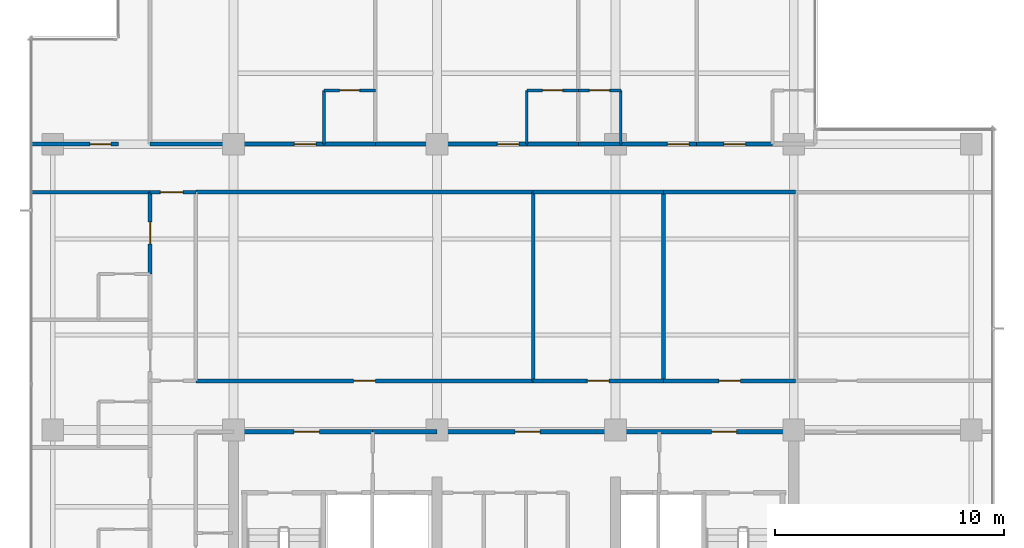
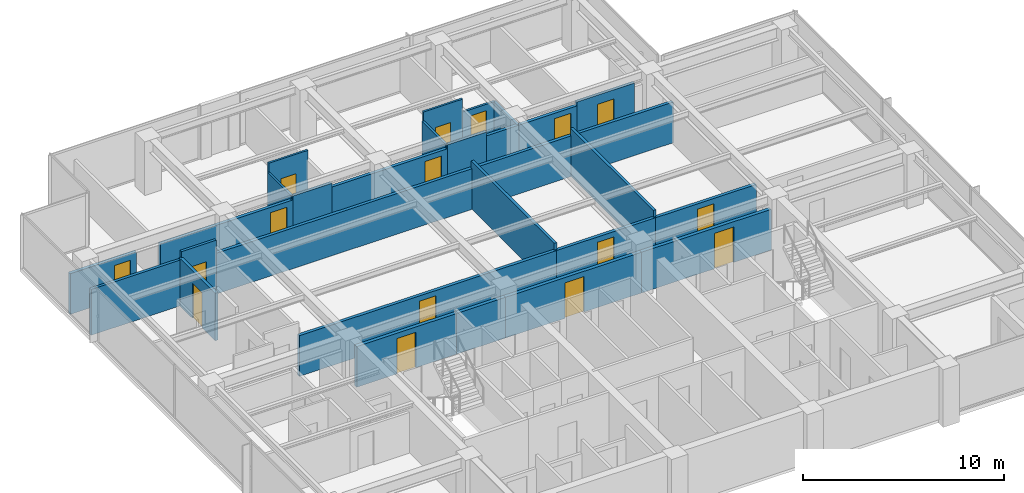
# One storey, part 9 of 14: 29 walls, 16 doors, 16 openings.
"""IFC4 building model written with IfcOpenShell, lengths in metres."""

import ifcopenshell
import ifcopenshell.guid

model = None  # the IFC model being written
_history = None  # IfcOwnerHistory: only IFC2X3 demands one
_inside = {}  # id of a spatial element -> (the spatial element, [elements in it])
_under = {}  # id of a project, library or spatial element -> (it, [spatial elements below it])
_declared = {}  # id of a project -> (the project, [libraries it declares])
_typed = {}  # id of a type object -> (the type object, [elements of that type])
_made_of = {}  # id of a material, layer set ... -> (it, [elements and type objects made of it])


def new_model(schema):
    """Start an empty IFC model of exactly this schema.

    Asked for "IFC4X3", IfcOpenShell would pick the latest addendum, in which some entities
    have other attributes; the version numbers below select the first issue.
    IFC2X3 requires an IfcOwnerHistory on every rooted entity: one is made here for all.
    """
    global model, _history
    if schema == "IFC4X3":
        model = ifcopenshell.file(schema_version=(4, 3, 0, 0))
    else:
        model = ifcopenshell.file(schema=schema)
    _inside.clear()
    _under.clear()
    _declared.clear()
    _typed.clear()
    _made_of.clear()
    _history = None
    if model.schema == "IFC2X3":
        org = make("IfcOrganization", Name="unknown")
        user = make(
            "IfcPersonAndOrganization",
            ThePerson=make("IfcPerson", FamilyName="unknown"),
            TheOrganization=org,
        )
        app = make(
            "IfcApplication",
            ApplicationDeveloper=org,
            Version="unknown",
            ApplicationFullName="unknown",
            ApplicationIdentifier="unknown",
        )
        _history = make(
            "IfcOwnerHistory",
            OwningUser=user,
            OwningApplication=app,
            ChangeAction="ADDED",
            CreationDate=0,
        )
    return model


def make(cls, **values):
    """One entity of the class cls with the attributes given. An attribute that is None is left unset."""
    return model.create_entity(
        cls, **{name: value for name, value in values.items() if value is not None}
    )


def rooted(cls, **values):
    """An entity with a GlobalId (a new one), such as an element, a storey or a relation."""
    return make(cls, GlobalId=ifcopenshell.guid.new(), OwnerHistory=_history, **values)


def si_unit(unit_type, name, prefix=None):
    """IfcSIUnit, for example si_unit("LENGTHUNIT", "METRE", prefix="MILLI")."""
    return make("IfcSIUnit", UnitType=unit_type, Prefix=prefix, Name=name)


def assignment(units):
    """IfcUnitAssignment: the units of a project."""
    return None if units is None else make("IfcUnitAssignment", Units=units)


def point(xyz):
    """IfcCartesianPoint."""
    return None if xyz is None else make("IfcCartesianPoint", Coordinates=xyz)


def direction(xyz):
    """IfcDirection."""
    return None if xyz is None else make("IfcDirection", DirectionRatios=xyz)


def frame(location, z_axis=None, x_axis=None):
    """IfcAxis2Placement3D, a coordinate frame: its origin and axes. An axis left out is left unset."""
    return make(
        "IfcAxis2Placement3D",
        Location=point(location),
        Axis=direction(z_axis),
        RefDirection=direction(x_axis),
    )


def frame_2d(location, x_axis=None):
    """IfcAxis2Placement2D, a coordinate frame in the plane: its origin and x axis."""
    return make(
        "IfcAxis2Placement2D", Location=point(location), RefDirection=direction(x_axis)
    )


def origin():
    """The frame at (0, 0, 0) with its axes left unset."""
    return frame((0.0, 0.0, 0.0))


def place(relative_to, where):
    """IfcLocalPlacement: puts the frame where relative to a parent placement (None: the world)."""
    return make(
        "IfcLocalPlacement", PlacementRelTo=relative_to, RelativePlacement=where
    )


def context(
    kind, dimensions, precision=None, world=None, true_north=None, identifier=None
):
    """IfcGeometricRepresentationContext, for example the 3D "Model" context."""
    return make(
        "IfcGeometricRepresentationContext",
        ContextIdentifier=identifier,
        ContextType=kind,
        CoordinateSpaceDimension=dimensions,
        Precision=precision,
        WorldCoordinateSystem=world,
        TrueNorth=true_north,
    )


def subcontext(parent, identifier, kind, view, scale=None):
    """IfcGeometricRepresentationSubContext, for example "Body" below "Model"."""
    return make(
        "IfcGeometricRepresentationSubContext",
        ContextIdentifier=identifier,
        ContextType=kind,
        ParentContext=parent,
        TargetScale=scale,
        TargetView=view,
    )


def project(units=None, contexts=None):
    """IfcProject with its units and contexts."""
    return rooted(
        "IfcProject",
        Name="project",
        RepresentationContexts=contexts,
        UnitsInContext=assignment(units),
    )


def spatial(cls, under=None, at=None, **own):
    """A site, building, storey or space (cls), placed at a placement, below another one or the project."""
    s = rooted(cls, ObjectPlacement=at, **own)
    if under is not None:
        _under.setdefault(under.id(), (under, []))[1].append(s)
    return s


def profile(cls, at=None, kind="AREA", **sizes):
    """A parametric profile (cls). Its sizes go by their IFC names, for example OverallWidth=200.0."""
    return make(cls, ProfileType=kind, Position=at, **sizes)


def rectangle(**sizes):
    """IfcRectangleProfileDef."""
    return profile("IfcRectangleProfileDef", **sizes)


def extrude(swept, where, along, depth):
    """IfcExtrudedAreaSolid: the profile swept, set in the frame where, extruded along a direction by depth."""
    return make(
        "IfcExtrudedAreaSolid",
        SweptArea=swept,
        Position=where,
        ExtrudedDirection=direction(along),
        Depth=depth,
    )


def shape(context_of_items, identifier, shape_type, items):
    """IfcShapeRepresentation: the items that make up one representation, for example the "Body"."""
    return make(
        "IfcShapeRepresentation",
        ContextOfItems=context_of_items,
        RepresentationIdentifier=identifier,
        RepresentationType=shape_type,
        Items=items,
    )


def material(Name=None, Category=None):
    """IfcMaterial."""
    return make("IfcMaterial", Name=Name, Category=Category)


def layer(
    of_material, thickness, ventilated=None, Name=None, Category=None, Priority=None
):
    """IfcMaterialLayer: one layer of a wall or slab, of a material (None: an air gap)."""
    return make(
        "IfcMaterialLayer",
        Material=of_material,
        LayerThickness=thickness,
        IsVentilated=ventilated,
        Name=Name,
        Category=Category,
        Priority=Priority,
    )


def layer_set(layers, Name=None):
    """IfcMaterialLayerSet."""
    return make("IfcMaterialLayerSet", MaterialLayers=layers, LayerSetName=Name)


def made_of(thing, what):
    """Note that an element or type object is made of a material, layer set ...; save() writes the relation."""
    if what is not None:
        _made_of.setdefault(what.id(), (what, []))[1].append(thing)
    return thing


def type_object(cls, material=None, **own):
    """A type object (cls), such as IfcWallType, which elements share."""
    return made_of(rooted(cls, **own), material)


def element(
    cls,
    number,
    at=None,
    inside=None,
    cuts=None,
    type_object=None,
    material=None,
    context=None,
    identifier="Body",
    shape_type=None,
    held_by="IfcProductDefinitionShape",
    body=None,
    shapes=None,
    **own,
):
    """One element of the class cls, such as IfcWall. Its Tag is "e" and its number.

    at: its placement. inside: the storey or other place that contains it. cuts: it is an
    opening in that element (IfcRelVoidsElement). A single representation is given by context,
    identifier, shape_type and body (its items); several are given by shapes. held_by: the class
    of the entity that holds the representations. save() writes the other relations.
    """
    e = rooted(cls, Tag="e%d" % number, ObjectPlacement=at, **own)
    if body is not None:
        shapes = [shape(context, identifier, shape_type, body)]
    if shapes is not None:
        e.Representation = make(held_by, Representations=shapes)
    if inside is not None:
        _inside.setdefault(inside.id(), (inside, []))[1].append(e)
    if cuts is not None:
        rooted(
            "IfcRelVoidsElement", RelatingBuildingElement=cuts, RelatedOpeningElement=e
        )
    if type_object is not None:
        _typed.setdefault(type_object.id(), (type_object, []))[1].append(e)
    return made_of(e, material)


def fill(opening, filler):
    """IfcRelFillsElement: the door or window that sits in an opening."""
    return rooted(
        "IfcRelFillsElement",
        RelatingOpeningElement=opening,
        RelatedBuildingElement=filler,
    )


def aggregate(whole, parts):
    """IfcRelAggregates: a whole, such as a stair, and the parts it consists of."""
    return rooted("IfcRelAggregates", RelatingObject=whole, RelatedObjects=parts)


def save(model, path):
    """Write the relations noted so far, then the file.

    IfcRelAggregates (storeys below a building ...), IfcRelContainedInSpatialStructure (elements
    in a storey), IfcRelDefinesByType, IfcRelAssociatesMaterial and IfcRelDeclares: one each for
    every whole, place, type object, material and project.
    """
    for whole, parts in _under.values():
        aggregate(whole, parts)
    for where, things in _inside.values():
        rooted(
            "IfcRelContainedInSpatialStructure",
            RelatedElements=things,
            RelatingStructure=where,
        )
    for kind, things in _typed.values():
        rooted("IfcRelDefinesByType", RelatedObjects=things, RelatingType=kind)
    for what, things in _made_of.values():
        rooted("IfcRelAssociatesMaterial", RelatedObjects=things, RelatingMaterial=what)
    for by, libraries in _declared.values():
        rooted("IfcRelDeclares", RelatingContext=by, RelatedDefinitions=libraries)
    model.write(path)


model = new_model("IFC4")

# Units and contexts
model_context = context("Model", 3, precision=1e-05, world=origin(), true_north=direction((0.0, 1.0)))
body_context = subcontext(model_context, "Body", "Model", "MODEL_VIEW")
ifc_project = project(units=[si_unit("LENGTHUNIT", "METRE"), si_unit("AREAUNIT", "SQUARE_METRE"), si_unit("VOLUMEUNIT", "CUBIC_METRE"), si_unit("PLANEANGLEUNIT", "RADIAN"), si_unit("MASSUNIT", "GRAM", prefix="KILO")], contexts=[model_context])

# Site, building, storey
site_placement = place(None, origin())
site = spatial("IfcSite", under=ifc_project, at=site_placement, CompositionType="ELEMENT")
building_placement = place(site_placement, origin())
building = spatial("IfcBuilding", under=site, at=building_placement, Name="Qalmaran Belvedere Hotel", CompositionType="ELEMENT")
storey_placement = place(building_placement, frame((0.0, 0.0, 200.39990234375)))
storey = spatial("IfcBuildingStorey", under=building, at=storey_placement, Name="L50", CompositionType="ELEMENT", Elevation=200.39990234375)

# Wall, opening, door
ifc_material_1 = material(Name="Moisture-Resistant Gypsum")
ifc_layer_1 = layer(ifc_material_1, 0.1201171875, Name="Moisture-Resistant Gypsum")
ifc_layer_set_1 = layer_set([ifc_layer_1], Name="Moisture-Resistant Gypsum")
wall_type_1 = type_object("IfcWallType", Name="WL-INT-120-BATH", PredefinedType="PARTITIONING", material=ifc_layer_set_1)
wall_1_placement = place(storey_placement, frame((24.25, 35.35009765625, 0.0), z_axis=(0.0, 0.0, 1.0), x_axis=(1.0, 0.0, 0.0)))
wall_1 = element("IfcWall", 1, at=wall_1_placement, inside=storey, type_object=wall_type_1, Name="L50 Partition WL-L50-NBN00", PredefinedType="PARTITIONING", context=body_context, shape_type="SweptSolid", body=[
    extrude(rectangle(XDim=2.25, YDim=0.1201171875, at=frame_2d((1.125, 0.0))), origin(), (0.0, 0.0, 1.0), 3.260009765625),
])
opening_1_placement = place(wall_1_placement, frame((1.56494140625, 0.0, 0.0), z_axis=(0.0, 0.0, 1.0), x_axis=(-1.0, 0.0, 0.0)))
opening_1 = element("IfcOpeningElement", 2, at=opening_1_placement, cuts=wall_1, Name="Opening D-BATH", PredefinedType="OPENING", context=body_context, shape_type="SweptSolid", body=[
    extrude(rectangle(XDim=0.8798828125, YDim=2.080078125, at=frame_2d((0.43994140625, 1.0400390625))), frame((0.0, 0.070068359375, 0.0), z_axis=(0.0, -1.0, 0.0), x_axis=(1.0, 0.0, 0.0)), (0.0, 0.0, 1.0), 0.14013671875),
])
ifc_material_2 = material(Name="Engineered Oak Veneer")
door_type_1 = type_object("IfcDoorType", Name="DR-INT-BATH-880X2080", OperationType="NOTDEFINED", PredefinedType="DOOR", material=ifc_material_2)
door_1_placement = place(opening_1_placement, origin())
door_1 = element("IfcDoor", 3, at=door_1_placement, inside=storey, type_object=door_type_1, Name="L50 Ensuite Bathroom Door N01", OperationType="SINGLE_SWING_LEFT", OverallHeight=2.080078125, OverallWidth=0.8798828125, PredefinedType="DOOR", context=body_context, shape_type="SweptSolid", body=[
    extrude(rectangle(XDim=0.8798828125, YDim=2.080078125, at=frame_2d((0.43994140625, 1.0400390625))), frame((0.0, 0.02490234375, 0.0), z_axis=(0.0, -1.0, 0.0), x_axis=(1.0, 0.0, 0.0)), (0.0, 0.0, 1.0), 0.050048828125),
])
fill(opening_1, door_1)

# Wall
wall_2_placement = place(storey_placement, frame((24.25, 33.0, 0.0), z_axis=(0.0, 0.0, 1.0), x_axis=(0.0, 1.0, 0.0)))
element("IfcWall", 4, at=wall_2_placement, inside=storey, type_object=wall_type_1, Name="L50 Partition WL-L50-NBS00", PredefinedType="PARTITIONING", context=body_context, shape_type="SweptSolid", body=[
    extrude(rectangle(XDim=2.35009765625, YDim=0.1201171875, at=frame_2d((1.175048828125, 0.0))), origin(), (0.0, 0.0, 1.0), 2.7060546875),
])

# Wall, opening, door
wall_3_placement = place(storey_placement, frame((33.12353515625, 35.35009765625, 0.0), z_axis=(0.0, 0.0, 1.0), x_axis=(1.0, 0.0, 0.0)))
wall_3 = element("IfcWall", 5, at=wall_3_placement, inside=storey, type_object=wall_type_1, Name="L50 Partition WL-L50-NBN01", PredefinedType="PARTITIONING", context=body_context, shape_type="SweptSolid", body=[
    extrude(rectangle(XDim=2.25, YDim=0.1201171875, at=frame_2d((1.125, 0.0))), origin(), (0.0, 0.0, 1.0), 3.260009765625),
])
opening_2_placement = place(wall_3_placement, frame((1.56494140625, 0.0, 0.0), z_axis=(0.0, 0.0, 1.0), x_axis=(-1.0, 0.0, 0.0)))
opening_2 = element("IfcOpeningElement", 6, at=opening_2_placement, cuts=wall_3, Name="Opening D-BATH", PredefinedType="OPENING", context=body_context, shape_type="SweptSolid", body=[
    extrude(rectangle(XDim=0.8798828125, YDim=2.080078125, at=frame_2d((0.43994140625, 1.0400390625))), frame((0.0, 0.070068359375, 0.0), z_axis=(0.0, -1.0, 0.0), x_axis=(1.0, 0.0, 0.0)), (0.0, 0.0, 1.0), 0.14013671875),
])
door_2_placement = place(opening_2_placement, origin())
door_2 = element("IfcDoor", 7, at=door_2_placement, inside=storey, type_object=door_type_1, Name="L50 Ensuite Bathroom Door N02", OperationType="SINGLE_SWING_LEFT", OverallHeight=2.080078125, OverallWidth=0.8798828125, PredefinedType="DOOR", context=body_context, shape_type="SweptSolid", body=[
    extrude(rectangle(XDim=0.8798828125, YDim=2.080078125, at=frame_2d((0.43994140625, 1.0400390625))), frame((0.0, 0.02490234375, 0.0), z_axis=(0.0, -1.0, 0.0), x_axis=(1.0, 0.0, 0.0)), (0.0, 0.0, 1.0), 0.050048828125),
])
fill(opening_2, door_2)

# Wall
wall_4_placement = place(storey_placement, frame((33.12353515625, 33.0, 0.0), z_axis=(0.0, 0.0, 1.0), x_axis=(0.0, 1.0, 0.0)))
element("IfcWall", 8, at=wall_4_placement, inside=storey, type_object=wall_type_1, Name="L50 Partition WL-L50-NBS01", PredefinedType="PARTITIONING", context=body_context, shape_type="SweptSolid", body=[
    extrude(rectangle(XDim=2.35009765625, YDim=0.1201171875, at=frame_2d((1.175048828125, 0.0))), origin(), (0.0, 0.0, 1.0), 2.7060546875),
])

# Wall, opening, door
wall_5_placement = place(storey_placement, frame((35.37353515625, 35.35009765625, 0.0), z_axis=(0.0, 0.0, 1.0), x_axis=(1.0, 0.0, 0.0)))
wall_5 = element("IfcWall", 9, at=wall_5_placement, inside=storey, type_object=wall_type_1, Name="L50 Partition WL-L50-NBN02", PredefinedType="PARTITIONING", context=body_context, shape_type="SweptSolid", body=[
    extrude(rectangle(XDim=1.860107421875, YDim=0.1201171875, at=frame_2d((0.93017578125, 0.0))), origin(), (0.0, 0.0, 1.0), 2.47216796875),
])
opening_3_placement = place(wall_5_placement, frame((1.369873046875, 0.0, 0.0), z_axis=(0.0, 0.0, 1.0), x_axis=(-1.0, 0.0, 0.0)))
opening_3 = element("IfcOpeningElement", 10, at=opening_3_placement, cuts=wall_5, Name="Opening D-BATH", PredefinedType="OPENING", context=body_context, shape_type="SweptSolid", body=[
    extrude(rectangle(XDim=0.8798828125, YDim=2.080078125, at=frame_2d((0.43994140625, 1.0400390625))), frame((0.0, 0.070068359375, 0.0), z_axis=(0.0, -1.0, 0.0), x_axis=(1.0, 0.0, 0.0)), (0.0, 0.0, 1.0), 0.14013671875),
])
door_3_placement = place(opening_3_placement, origin())
door_3 = element("IfcDoor", 11, at=door_3_placement, inside=storey, type_object=door_type_1, Name="L50 Ensuite Bathroom Door N03", OperationType="SINGLE_SWING_LEFT", OverallHeight=2.080078125, OverallWidth=0.8798828125, PredefinedType="DOOR", context=body_context, shape_type="SweptSolid", body=[
    extrude(rectangle(XDim=0.8798828125, YDim=2.080078125, at=frame_2d((0.43994140625, 1.0400390625))), frame((0.0, 0.02490234375, 0.0), z_axis=(0.0, -1.0, 0.0), x_axis=(1.0, 0.0, 0.0)), (0.0, 0.0, 1.0), 0.050048828125),
])
fill(opening_3, door_3)

# Wall
wall_6_placement = place(storey_placement, frame((37.233642578125, 33.0, 0.0), z_axis=(0.0, 0.0, 1.0), x_axis=(0.0, 1.0, 0.0)))
element("IfcWall", 12, at=wall_6_placement, inside=storey, type_object=wall_type_1, Name="L50 Partition WL-L50-NBS02", PredefinedType="PARTITIONING", context=body_context, shape_type="SweptSolid", body=[
    extrude(rectangle(XDim=2.35009765625, YDim=0.1201171875, at=frame_2d((1.175048828125, 0.0))), origin(), (0.0, 0.0, 1.0), 2.47216796875),
])

# Wall, opening, door
ifc_material_3 = material(Name="Gypsum Stud Partition")
ifc_layer_2 = layer(ifc_material_3, 0.14990234375, Name="Gypsum Stud Partition")
ifc_layer_set_2 = layer_set([ifc_layer_2], Name="Gypsum Stud Partition")
wall_type_2 = type_object("IfcWallType", Name="WL-INT-150-EI60", PredefinedType="PARTITIONING", material=ifc_layer_set_2)
wall_7_placement = place(storey_placement, frame((16.64990234375, 30.89990234375, 0.0), z_axis=(0.0, 0.0, 1.0), x_axis=(1.0, 0.0, 0.0)))
wall_7 = element("IfcWall", 13, at=wall_7_placement, inside=storey, type_object=wall_type_2, Name="L50 Partition WL-L50-XCW2", PredefinedType="PARTITIONING", context=body_context, shape_type="SweptSolid", body=[
    extrude(rectangle(XDim=2.0, YDim=0.14990234375, at=frame_2d((1.0, 0.0))), origin(), (0.0, 0.0, 1.0), 3.260009765625),
])
opening_4_placement = place(wall_7_placement, frame((0.449951171875, 0.0, 0.0)))
opening_4 = element("IfcOpeningElement", 14, at=opening_4_placement, cuts=wall_7, Name="Opening FD90B", PredefinedType="OPENING", context=body_context, shape_type="SweptSolid", body=[
    extrude(rectangle(XDim=1.0, YDim=2.14990234375, at=frame_2d((0.5, 1.074951171875))), frame((0.0, 0.0849609375, 0.0), z_axis=(0.0, -1.0, 0.0), x_axis=(1.0, 0.0, 0.0)), (0.0, 0.0, 1.0), 0.169921875),
])
ifc_material_4 = material(Name="Steel S355JR", Category="steel")
door_type_2 = type_object("IfcDoorType", Name="DR-FD90B-1000X2150", OperationType="NOTDEFINED", PredefinedType="DOOR", material=ifc_material_4)
door_4_placement = place(opening_4_placement, origin())
door_4 = element("IfcDoor", 15, at=door_4_placement, inside=storey, type_object=door_type_2, Name="L50 West Corridor Smoke Door N", OperationType="SINGLE_SWING_LEFT", OverallHeight=2.14990234375, OverallWidth=1.0, PredefinedType="DOOR", context=body_context, shape_type="SweptSolid", body=[
    extrude(rectangle(XDim=1.0, YDim=2.14990234375, at=frame_2d((0.5, 1.074951171875))), frame((0.0, 0.02490234375, 0.0), z_axis=(0.0, -1.0, 0.0), x_axis=(1.0, 0.0, 0.0)), (0.0, 0.0, 1.0), 0.050048828125),
])
fill(opening_4, door_4)

# Walls
ifc_layer_3 = layer(ifc_material_3, 0.159912109375, Name="Gypsum Stud Partition")
ifc_layer_set_3 = layer_set([ifc_layer_3], Name="Gypsum Stud Partition")
wall_type_3 = type_object("IfcWallType", Name="WL-INT-160-EI60", PredefinedType="PARTITIONING", material=ifc_layer_set_3)
for number, where, z_axis, x_axis, name in (
    (16, (33.39990234375, 22.64990234375, 0.0), (0.0, 0.0, 1.0), (0.0, 1.0, 0.0), "L50 Partition WL-L50-MIDVR1"),
    (17, (39.10009765625, 22.64990234375, 0.0), (0.0, 0.0, 1.0), (0.0, 1.0, 0.0), "L50 Partition WL-L50-MIDVR2"),
):
    element("IfcWall", number, at=place(storey_placement, frame(where, z_axis=z_axis, x_axis=x_axis)), inside=storey, type_object=wall_type_3, Name=name, PredefinedType="PARTITIONING", context=body_context, shape_type="SweptSolid", body=[
        extrude(rectangle(XDim=8.25, YDim=0.159912109375, at=frame_2d((4.125, 0.0))), origin(), (0.0, 0.0, 1.0), 2.88720703125),
    ])
wall_8_placement = place(storey_placement, frame((11.469970703125, 30.89990234375, 0.0), z_axis=(0.0, 0.0, 1.0), x_axis=(1.0, 0.0, 0.0)))
element("IfcWall", 18, at=wall_8_placement, inside=storey, type_object=wall_type_3, Name="L50 Partition WL-L50-WU02", PredefinedType="PARTITIONING", context=body_context, shape_type="SweptSolid", body=[
    extrude(rectangle(XDim=5.179931640625, YDim=0.159912109375, at=frame_2d((2.58984375, 0.0))), origin(), (0.0, 0.0, 1.0), 2.781982421875),
])

# Wall, opening, door
ifc_layer_4 = layer(ifc_material_3, 0.179931640625, Name="Gypsum Stud Partition")
ifc_layer_set_4 = layer_set([ifc_layer_4], Name="Gypsum Stud Partition")
wall_type_4 = type_object("IfcWallType", Name="WL-INT-180-EI60", PredefinedType="PARTITIONING", material=ifc_layer_set_4)
wall_9_placement = place(storey_placement, frame((18.64990234375, 22.64990234375, 0.0), z_axis=(0.0, 0.0, 1.0), x_axis=(1.0, 0.0, 0.0)))
wall_9 = element("IfcWall", 19, at=wall_9_placement, inside=storey, type_object=wall_type_4, Name="L50 Partition WL-L50-MIDD1", PredefinedType="PARTITIONING", context=body_context, shape_type="SweptSolid", body=[
    extrude(rectangle(XDim=14.75, YDim=0.179931640625, at=frame_2d((7.375, 0.0))), origin(), (0.0, 0.0, 1.0), 2.47216796875),
])
opening_5_placement = place(wall_9_placement, frame((6.89990234375, 0.0, 0.0)))
opening_5 = element("IfcOpeningElement", 20, at=opening_5_placement, cuts=wall_9, Name="Opening FD60", PredefinedType="OPENING", context=body_context, shape_type="SweptSolid", body=[
    extrude(rectangle(XDim=0.949951171875, YDim=2.14990234375, at=frame_2d((0.47509765625, 1.074951171875))), frame((0.0, 0.10009765625, 0.0), z_axis=(0.0, -1.0, 0.0), x_axis=(1.0, 0.0, 0.0)), (0.0, 0.0, 1.0), 0.199951171875),
])
door_type_3 = type_object("IfcDoorType", Name="DR-FD60-950X2150", OperationType="NOTDEFINED", PredefinedType="DOOR", material=ifc_material_2)
door_5_placement = place(opening_5_placement, origin())
door_5 = element("IfcDoor", 21, at=door_5_placement, inside=storey, type_object=door_type_3, Name="L50 Housekeeping and Linen Room Door", OperationType="SINGLE_SWING_RIGHT", OverallHeight=2.14990234375, OverallWidth=0.949951171875, PredefinedType="DOOR", context=body_context, shape_type="SweptSolid", body=[
    extrude(rectangle(XDim=0.949951171875, YDim=2.14990234375, at=frame_2d((0.47509765625, 1.074951171875))), frame((0.0, 0.02490234375, 0.0), z_axis=(0.0, -1.0, 0.0), x_axis=(1.0, 0.0, 0.0)), (0.0, 0.0, 1.0), 0.050048828125),
])
fill(opening_5, door_5)

# Wall
wall_10_placement = place(storey_placement, frame((18.64990234375, 30.89990234375, 0.0), z_axis=(0.0, 0.0, 1.0), x_axis=(1.0, 0.0, 0.0)))
element("IfcWall", 22, at=wall_10_placement, inside=storey, type_object=wall_type_4, Name="L50 Partition WL-L50-MIDO1", PredefinedType="PARTITIONING", context=body_context, shape_type="SweptSolid", body=[
    extrude(rectangle(XDim=14.75, YDim=0.179931640625, at=frame_2d((7.375, 0.0))), origin(), (0.0, 0.0, 1.0), 2.47216796875),
])

# Wall, opening, door
wall_11_placement = place(storey_placement, frame((33.39990234375, 22.64990234375, 0.0), z_axis=(0.0, 0.0, 1.0), x_axis=(1.0, 0.0, 0.0)))
wall_11 = element("IfcWall", 23, at=wall_11_placement, inside=storey, type_object=wall_type_4, Name="L50 Partition WL-L50-MIDD2", PredefinedType="PARTITIONING", context=body_context, shape_type="SweptSolid", body=[
    extrude(rectangle(XDim=5.7001953125, YDim=0.179931640625, at=frame_2d((2.85009765625, 0.0))), origin(), (0.0, 0.0, 1.0), 2.47216796875),
])
opening_6_placement = place(wall_11_placement, frame((2.375, 0.0, 0.0)))
opening_6 = element("IfcOpeningElement", 24, at=opening_6_placement, cuts=wall_11, Name="Opening FD60", PredefinedType="OPENING", context=body_context, shape_type="SweptSolid", body=[
    extrude(rectangle(XDim=0.949951171875, YDim=2.14990234375, at=frame_2d((0.47509765625, 1.074951171875))), frame((0.0, 0.10009765625, 0.0), z_axis=(0.0, -1.0, 0.0), x_axis=(1.0, 0.0, 0.0)), (0.0, 0.0, 1.0), 0.199951171875),
])
door_6_placement = place(opening_6_placement, origin())
door_6 = element("IfcDoor", 25, at=door_6_placement, inside=storey, type_object=door_type_3, Name="L50 Butler Pantry Door", OperationType="SINGLE_SWING_LEFT", OverallHeight=2.14990234375, OverallWidth=0.949951171875, PredefinedType="DOOR", context=body_context, shape_type="SweptSolid", body=[
    extrude(rectangle(XDim=0.949951171875, YDim=2.14990234375, at=frame_2d((0.47509765625, 1.074951171875))), frame((0.0, 0.02490234375, 0.0), z_axis=(0.0, -1.0, 0.0), x_axis=(1.0, 0.0, 0.0)), (0.0, 0.0, 1.0), 0.050048828125),
])
fill(opening_6, door_6)

# Wall
wall_12_placement = place(storey_placement, frame((33.39990234375, 30.89990234375, 0.0), z_axis=(0.0, 0.0, 1.0), x_axis=(1.0, 0.0, 0.0)))
element("IfcWall", 26, at=wall_12_placement, inside=storey, type_object=wall_type_4, Name="L50 Partition WL-L50-MIDO2", PredefinedType="PARTITIONING", context=body_context, shape_type="SweptSolid", body=[
    extrude(rectangle(XDim=5.7001953125, YDim=0.179931640625, at=frame_2d((2.85009765625, 0.0))), origin(), (0.0, 0.0, 1.0), 2.47216796875),
])

# Wall, opening, door
wall_13_placement = place(storey_placement, frame((39.10009765625, 22.64990234375, 0.0), z_axis=(0.0, 0.0, 1.0), x_axis=(1.0, 0.0, 0.0)))
wall_13 = element("IfcWall", 27, at=wall_13_placement, inside=storey, type_object=wall_type_4, Name="L50 Partition WL-L50-MIDD3", PredefinedType="PARTITIONING", context=body_context, shape_type="SweptSolid", body=[
    extrude(rectangle(XDim=5.77978515625, YDim=0.179931640625, at=frame_2d((2.889892578125, 0.0))), origin(), (0.0, 0.0, 1.0), 2.47216796875),
])
opening_7_placement = place(wall_13_placement, frame((2.4150390625, 0.0, 0.0)))
opening_7 = element("IfcOpeningElement", 28, at=opening_7_placement, cuts=wall_13, Name="Opening FD60", PredefinedType="OPENING", context=body_context, shape_type="SweptSolid", body=[
    extrude(rectangle(XDim=0.949951171875, YDim=2.14990234375, at=frame_2d((0.47509765625, 1.074951171875))), frame((0.0, 0.10009765625, 0.0), z_axis=(0.0, -1.0, 0.0), x_axis=(1.0, 0.0, 0.0)), (0.0, 0.0, 1.0), 0.199951171875),
])
door_7_placement = place(opening_7_placement, origin())
door_7 = element("IfcDoor", 29, at=door_7_placement, inside=storey, type_object=door_type_3, Name="L50 Tea Pantry Door", OperationType="SINGLE_SWING_RIGHT", OverallHeight=2.14990234375, OverallWidth=0.949951171875, PredefinedType="DOOR", context=body_context, shape_type="SweptSolid", body=[
    extrude(rectangle(XDim=0.949951171875, YDim=2.14990234375, at=frame_2d((0.47509765625, 1.074951171875))), frame((0.0, 0.02490234375, 0.0), z_axis=(0.0, -1.0, 0.0), x_axis=(1.0, 0.0, 0.0)), (0.0, 0.0, 1.0), 0.050048828125),
])
fill(opening_7, door_7)

# Walls
wall_14_placement = place(storey_placement, frame((39.10009765625, 30.89990234375, 0.0), z_axis=(0.0, 0.0, 1.0), x_axis=(1.0, 0.0, 0.0)))
element("IfcWall", 30, at=wall_14_placement, inside=storey, type_object=wall_type_4, Name="L50 Partition WL-L50-MIDO3", PredefinedType="PARTITIONING", context=body_context, shape_type="SweptSolid", body=[
    extrude(rectangle(XDim=5.77978515625, YDim=0.179931640625, at=frame_2d((2.889892578125, 0.0))), origin(), (0.0, 0.0, 1.0), 2.47216796875),
])
wall_15_placement = place(storey_placement, frame((24.25, 33.0, 0.0), z_axis=(0.0, 0.0, 1.0), x_axis=(1.0, 0.0, 0.0)))
element("IfcWall", 31, at=wall_15_placement, inside=storey, type_object=wall_type_4, Name="L50 Partition WL-L50-NBC00", PredefinedType="PARTITIONING", context=body_context, shape_type="SweptSolid", body=[
    extrude(rectangle(XDim=2.25, YDim=0.179931640625, at=frame_2d((1.125, 0.0))), origin(), (0.0, 0.0, 1.0), 2.7060546875),
])

# Wall, opening, door
wall_16_placement = place(storey_placement, frame((16.64990234375, 33.0, 0.0), z_axis=(0.0, 0.0, 1.0), x_axis=(1.0, 0.0, 0.0)))
wall_16 = element("IfcWall", 32, at=wall_16_placement, inside=storey, type_object=wall_type_4, Name="L50 Partition WL-L50-NEC00", PredefinedType="PARTITIONING", context=body_context, shape_type="SweptSolid", body=[
    extrude(rectangle(XDim=7.60009765625, YDim=0.179931640625, at=frame_2d((3.800048828125, 0.0))), origin(), (0.0, 0.0, 1.0), 2.47216796875),
])
opening_8_placement = place(wall_16_placement, frame((6.310546875, 0.0, 0.0)))
opening_8 = element("IfcOpeningElement", 33, at=opening_8_placement, cuts=wall_16, Name="Opening FD60", PredefinedType="OPENING", context=body_context, shape_type="SweptSolid", body=[
    extrude(rectangle(XDim=0.949951171875, YDim=2.14990234375, at=frame_2d((0.47509765625, 1.074951171875))), frame((0.0, 0.10009765625, 0.0), z_axis=(0.0, -1.0, 0.0), x_axis=(1.0, 0.0, 0.0)), (0.0, 0.0, 1.0), 0.199951171875),
])
door_8_placement = place(opening_8_placement, origin())
door_8 = element("IfcDoor", 34, at=door_8_placement, inside=storey, type_object=door_type_3, Name="L50 Guest Entrance Door N01", OperationType="SINGLE_SWING_RIGHT", OverallHeight=2.14990234375, OverallWidth=0.949951171875, PredefinedType="DOOR", context=body_context, shape_type="SweptSolid", body=[
    extrude(rectangle(XDim=0.949951171875, YDim=2.14990234375, at=frame_2d((0.47509765625, 1.074951171875))), frame((0.0, 0.02490234375, 0.0), z_axis=(0.0, -1.0, 0.0), x_axis=(1.0, 0.0, 0.0)), (0.0, 0.0, 1.0), 0.050048828125),
])
fill(opening_8, door_8)

# Wall
wall_17_placement = place(storey_placement, frame((33.12353515625, 33.0, 0.0), z_axis=(0.0, 0.0, 1.0), x_axis=(1.0, 0.0, 0.0)))
element("IfcWall", 35, at=wall_17_placement, inside=storey, type_object=wall_type_4, Name="L50 Partition WL-L50-NBC01", PredefinedType="PARTITIONING", context=body_context, shape_type="SweptSolid", body=[
    extrude(rectangle(XDim=2.25, YDim=0.179931640625, at=frame_2d((1.125, 0.0))), origin(), (0.0, 0.0, 1.0), 2.7060546875),
])

# Wall, opening, door
wall_18_placement = place(storey_placement, frame((26.5, 33.0, 0.0), z_axis=(0.0, 0.0, 1.0), x_axis=(1.0, 0.0, 0.0)))
wall_18 = element("IfcWall", 36, at=wall_18_placement, inside=storey, type_object=wall_type_4, Name="L50 Partition WL-L50-NEC01", PredefinedType="PARTITIONING", context=body_context, shape_type="SweptSolid", body=[
    extrude(rectangle(XDim=6.62353515625, YDim=0.179931640625, at=frame_2d((3.311767578125, 0.0))), origin(), (0.0, 0.0, 1.0), 2.47216796875),
])
opening_9_placement = place(wall_18_placement, frame((5.334716796875, 0.0, 0.0)))
opening_9 = element("IfcOpeningElement", 37, at=opening_9_placement, cuts=wall_18, Name="Opening FD60", PredefinedType="OPENING", context=body_context, shape_type="SweptSolid", body=[
    extrude(rectangle(XDim=0.949951171875, YDim=2.14990234375, at=frame_2d((0.47509765625, 1.074951171875))), frame((0.0, 0.10009765625, 0.0), z_axis=(0.0, -1.0, 0.0), x_axis=(1.0, 0.0, 0.0)), (0.0, 0.0, 1.0), 0.199951171875),
])
door_9_placement = place(opening_9_placement, origin())
door_9 = element("IfcDoor", 38, at=door_9_placement, inside=storey, type_object=door_type_3, Name="L50 Guest Entrance Door N02", OperationType="SINGLE_SWING_RIGHT", OverallHeight=2.14990234375, OverallWidth=0.949951171875, PredefinedType="DOOR", context=body_context, shape_type="SweptSolid", body=[
    extrude(rectangle(XDim=0.949951171875, YDim=2.14990234375, at=frame_2d((0.47509765625, 1.074951171875))), frame((0.0, 0.02490234375, 0.0), z_axis=(0.0, -1.0, 0.0), x_axis=(1.0, 0.0, 0.0)), (0.0, 0.0, 1.0), 0.050048828125),
])
fill(opening_9, door_9)

# Wall
wall_19_placement = place(storey_placement, frame((35.37353515625, 33.0, 0.0), z_axis=(0.0, 0.0, 1.0), x_axis=(1.0, 0.0, 0.0)))
element("IfcWall", 39, at=wall_19_placement, inside=storey, type_object=wall_type_4, Name="L50 Partition WL-L50-NBC02", PredefinedType="PARTITIONING", context=body_context, shape_type="SweptSolid", body=[
    extrude(rectangle(XDim=1.860107421875, YDim=0.179931640625, at=frame_2d((0.93017578125, 0.0))), origin(), (0.0, 0.0, 1.0), 2.47216796875),
])

# Wall, opening, door
wall_20_placement = place(storey_placement, frame((37.233642578125, 33.0, 0.0), z_axis=(0.0, 0.0, 1.0), x_axis=(1.0, 0.0, 0.0)))
wall_20 = element("IfcWall", 40, at=wall_20_placement, inside=storey, type_object=wall_type_4, Name="L50 Partition WL-L50-NEC02", PredefinedType="PARTITIONING", context=body_context, shape_type="SweptSolid", body=[
    extrude(rectangle(XDim=3.318115234375, YDim=0.179931640625, at=frame_2d((1.6591796875, 0.0))), origin(), (0.0, 0.0, 1.0), 2.47216796875),
])
opening_10_placement = place(wall_20_placement, frame((2.034912109375, 0.0, 0.0)))
opening_10 = element("IfcOpeningElement", 41, at=opening_10_placement, cuts=wall_20, Name="Opening FD60", PredefinedType="OPENING", context=body_context, shape_type="SweptSolid", body=[
    extrude(rectangle(XDim=0.949951171875, YDim=2.14990234375, at=frame_2d((0.47509765625, 1.074951171875))), frame((0.0, 0.10009765625, 0.0), z_axis=(0.0, -1.0, 0.0), x_axis=(1.0, 0.0, 0.0)), (0.0, 0.0, 1.0), 0.199951171875),
])
door_10_placement = place(opening_10_placement, origin())
door_10 = element("IfcDoor", 42, at=door_10_placement, inside=storey, type_object=door_type_3, Name="L50 Guest Entrance Door N03", OperationType="SINGLE_SWING_RIGHT", OverallHeight=2.14990234375, OverallWidth=0.949951171875, PredefinedType="DOOR", context=body_context, shape_type="SweptSolid", body=[
    extrude(rectangle(XDim=0.949951171875, YDim=2.14990234375, at=frame_2d((0.47509765625, 1.074951171875))), frame((0.0, 0.02490234375, 0.0), z_axis=(0.0, -1.0, 0.0), x_axis=(1.0, 0.0, 0.0)), (0.0, 0.0, 1.0), 0.050048828125),
])
fill(opening_10, door_10)

wall_21_placement = place(storey_placement, frame((40.5517578125, 33.0, 0.0), z_axis=(0.0, 0.0, 1.0), x_axis=(1.0, 0.0, 0.0)))
wall_21 = element("IfcWall", 43, at=wall_21_placement, inside=storey, type_object=wall_type_4, Name="L50 Partition WL-L50-NEC03", PredefinedType="PARTITIONING", context=body_context, shape_type="SweptSolid", body=[
    extrude(rectangle(XDim=3.318359375, YDim=0.179931640625, at=frame_2d((1.6591796875, 0.0))), origin(), (0.0, 0.0, 1.0), 2.7060546875),
])
opening_11_placement = place(wall_21_placement, frame((1.18408203125, 0.0, 0.0)))
opening_11 = element("IfcOpeningElement", 44, at=opening_11_placement, cuts=wall_21, Name="Opening FD60", PredefinedType="OPENING", context=body_context, shape_type="SweptSolid", body=[
    extrude(rectangle(XDim=0.949951171875, YDim=2.14990234375, at=frame_2d((0.47509765625, 1.074951171875))), frame((0.0, 0.10009765625, 0.0), z_axis=(0.0, -1.0, 0.0), x_axis=(1.0, 0.0, 0.0)), (0.0, 0.0, 1.0), 0.199951171875),
])
door_11_placement = place(opening_11_placement, origin())
door_11 = element("IfcDoor", 45, at=door_11_placement, inside=storey, type_object=door_type_3, Name="L50 Guest Entrance Door N04", OperationType="SINGLE_SWING_RIGHT", OverallHeight=2.14990234375, OverallWidth=0.949951171875, PredefinedType="DOOR", context=body_context, shape_type="SweptSolid", body=[
    extrude(rectangle(XDim=0.949951171875, YDim=2.14990234375, at=frame_2d((0.47509765625, 1.074951171875))), frame((0.0, 0.02490234375, 0.0), z_axis=(0.0, -1.0, 0.0), x_axis=(1.0, 0.0, 0.0)), (0.0, 0.0, 1.0), 0.050048828125),
])
fill(opening_11, door_11)

wall_22_placement = place(storey_placement, frame((16.64990234375, 27.32666015625, 0.0), z_axis=(0.0, 0.0, 1.0), x_axis=(0.0, 1.0, 0.0)))
wall_22 = element("IfcWall", 46, at=wall_22_placement, inside=storey, type_object=wall_type_4, Name="L50 Partition WL-L50-WEC02", PredefinedType="PARTITIONING", context=body_context, shape_type="SweptSolid", body=[
    extrude(rectangle(XDim=3.5732421875, YDim=0.179931640625, at=frame_2d((1.78662109375, 0.0))), origin(), (0.0, 0.0, 1.0), 2.88720703125),
])
opening_12_placement = place(wall_22_placement, frame((1.3115234375, 0.0, 0.0)))
opening_12 = element("IfcOpeningElement", 47, at=opening_12_placement, cuts=wall_22, Name="Opening FD60", PredefinedType="OPENING", context=body_context, shape_type="SweptSolid", body=[
    extrude(rectangle(XDim=0.949951171875, YDim=2.14990234375, at=frame_2d((0.47509765625, 1.074951171875))), frame((0.0, 0.10009765625, 0.0), z_axis=(0.0, -1.0, 0.0), x_axis=(1.0, 0.0, 0.0)), (0.0, 0.0, 1.0), 0.199951171875),
])
door_12_placement = place(opening_12_placement, origin())
door_12 = element("IfcDoor", 48, at=door_12_placement, inside=storey, type_object=door_type_3, Name="L50 W Wing Door 03", OperationType="SINGLE_SWING_RIGHT", OverallHeight=2.14990234375, OverallWidth=0.949951171875, PredefinedType="DOOR", context=body_context, shape_type="SweptSolid", body=[
    extrude(rectangle(XDim=0.949951171875, YDim=2.14990234375, at=frame_2d((0.47509765625, 1.074951171875))), frame((0.0, 0.02490234375, 0.0), z_axis=(0.0, -1.0, 0.0), x_axis=(1.0, 0.0, 0.0)), (0.0, 0.0, 1.0), 0.050048828125),
])
fill(opening_12, door_12)

wall_23_placement = place(storey_placement, frame((11.469970703125, 33.0, 0.0), z_axis=(0.0, 0.0, 1.0), x_axis=(1.0, 0.0, 0.0)))
wall_23 = element("IfcWall", 49, at=wall_23_placement, inside=storey, type_object=wall_type_4, Name="L50 Partition WL-L50-NWSD", PredefinedType="PARTITIONING", context=body_context, shape_type="SweptSolid", body=[
    extrude(rectangle(XDim=3.800048828125, YDim=0.179931640625, at=frame_2d((1.89990234375, 0.0))), origin(), (0.0, 0.0, 1.0), 2.47216796875),
])
opening_13_placement = place(wall_23_placement, frame((2.543701171875, 0.0, 0.0)))
opening_13 = element("IfcOpeningElement", 50, at=opening_13_placement, cuts=wall_23, Name="Opening FD60S1", PredefinedType="OPENING", context=body_context, shape_type="SweptSolid", body=[
    extrude(rectangle(XDim=0.919921875, YDim=2.080078125, at=frame_2d((0.4599609375, 1.0400390625))), frame((0.0, 0.10009765625, 0.0), z_axis=(0.0, -1.0, 0.0), x_axis=(1.0, 0.0, 0.0)), (0.0, 0.0, 1.0), 0.199951171875),
])
door_type_4 = type_object("IfcDoorType", Name="DR-FD60S-920X2080", OperationType="NOTDEFINED", PredefinedType="DOOR", material=ifc_material_2)
door_13_placement = place(opening_13_placement, origin())
door_13 = element("IfcDoor", 51, at=door_13_placement, inside=storey, type_object=door_type_4, Name="L50 NW Belvedere Study Door", OperationType="SINGLE_SWING_LEFT", OverallHeight=2.080078125, OverallWidth=0.919921875, PredefinedType="DOOR", context=body_context, shape_type="SweptSolid", body=[
    extrude(rectangle(XDim=0.919921875, YDim=2.080078125, at=frame_2d((0.4599609375, 1.0400390625))), frame((0.0, 0.02490234375, 0.0), z_axis=(0.0, -1.0, 0.0), x_axis=(1.0, 0.0, 0.0)), (0.0, 0.0, 1.0), 0.050048828125),
])
fill(opening_13, door_13)

ifc_material_5 = material(Name="Concrete C30/37 Blockwork", Category="masonry")
ifc_layer_5 = layer(ifc_material_5, 0.199951171875, Name="Concrete C30/37 Blockwork")
ifc_layer_set_5 = layer_set([ifc_layer_5], Name="Concrete C30/37 Blockwork")
wall_type_5 = type_object("IfcWallType", Name="WL-INT-200-EI120", PredefinedType="PARTITIONING", material=ifc_layer_set_5)
wall_24_placement = place(storey_placement, frame((20.64990234375, 20.419921875, 0.0), z_axis=(0.0, 0.0, 1.0), x_axis=(1.0, 0.0, 0.0)))
wall_24 = element("IfcWall", 52, at=wall_24_placement, inside=storey, type_object=wall_type_5, Name="L50 Partition WL-CN1A-L50", PredefinedType="PARTITIONING", context=body_context, shape_type="SweptSolid", body=[
    extrude(rectangle(XDim=5.72998046875, YDim=0.199951171875, at=frame_2d((2.864990234375, 0.0))), origin(), (0.0, 0.0, 1.0), 2.47216796875),
])
opening_14_placement = place(wall_24_placement, frame((2.300048828125, 0.0, 0.0)))
opening_14 = element("IfcOpeningElement", 53, at=opening_14_placement, cuts=wall_24, Name="Opening FD90", PredefinedType="OPENING", context=body_context, shape_type="SweptSolid", body=[
    extrude(rectangle(XDim=1.10009765625, YDim=2.14990234375, at=frame_2d((0.550048828125, 1.074951171875))), frame((0.0, 0.10986328125, 0.0), z_axis=(0.0, -1.0, 0.0), x_axis=(1.0, 0.0, 0.0)), (0.0, 0.0, 1.0), 0.219970703125),
])
door_type_5 = type_object("IfcDoorType", Name="DR-FD90-1100X2150", OperationType="NOTDEFINED", PredefinedType="DOOR", material=ifc_material_4)
door_14_placement = place(opening_14_placement, origin())
door_14 = element("IfcDoor", 54, at=door_14_placement, inside=storey, type_object=door_type_5, Name="L50 FF1 Lobby Corridor Door", OperationType="SINGLE_SWING_LEFT", OverallHeight=2.14990234375, OverallWidth=1.10009765625, PredefinedType="DOOR", context=body_context, shape_type="SweptSolid", body=[
    extrude(rectangle(XDim=1.10009765625, YDim=2.14990234375, at=frame_2d((0.550048828125, 1.074951171875))), frame((0.0, 0.02490234375, 0.0), z_axis=(0.0, -1.0, 0.0), x_axis=(1.0, 0.0, 0.0)), (0.0, 0.0, 1.0), 0.050048828125),
])
fill(opening_14, door_14)

# Wall
wall_25_placement = place(storey_placement, frame((26.3798828125, 20.419921875, 0.0), z_axis=(0.0, 0.0, 1.0), x_axis=(1.0, 0.0, 0.0)))
element("IfcWall", 55, at=wall_25_placement, inside=storey, type_object=wall_type_5, Name="L50 Partition WL-CN1B-L50", PredefinedType="PARTITIONING", context=body_context, shape_type="SweptSolid", body=[
    extrude(rectangle(XDim=2.820068359375, YDim=0.199951171875, at=frame_2d((1.41015625, 0.0))), origin(), (0.0, 0.0, 1.0), 2.47216796875),
])

# Wall, opening, door
wall_26_placement = place(storey_placement, frame((29.199951171875, 20.419921875, 0.0), z_axis=(0.0, 0.0, 1.0), x_axis=(1.0, 0.0, 0.0)))
wall_26 = element("IfcWall", 56, at=wall_26_placement, inside=storey, type_object=wall_type_5, Name="L50 Partition WL-CN2-L50", PredefinedType="PARTITIONING", context=body_context, shape_type="SweptSolid", body=[
    extrude(rectangle(XDim=7.800048828125, YDim=0.199951171875, at=frame_2d((3.89990234375, 0.0))), origin(), (0.0, 0.0, 1.0), 2.47216796875),
])
opening_15_placement = place(wall_26_placement, frame((3.4091796875, 0.0, 0.0)))
opening_15 = element("IfcOpeningElement", 57, at=opening_15_placement, cuts=wall_26, Name="Opening FD90", PredefinedType="OPENING", context=body_context, shape_type="SweptSolid", body=[
    extrude(rectangle(XDim=1.10009765625, YDim=2.14990234375, at=frame_2d((0.550048828125, 1.074951171875))), frame((0.0, 0.10986328125, 0.0), z_axis=(0.0, -1.0, 0.0), x_axis=(1.0, 0.0, 0.0)), (0.0, 0.0, 1.0), 0.219970703125),
])
door_15_placement = place(opening_15_placement, origin())
door_15 = element("IfcDoor", 58, at=door_15_placement, inside=storey, type_object=door_type_5, Name="L50 Central Lift Lobby Door", OperationType="SINGLE_SWING_RIGHT", OverallHeight=2.14990234375, OverallWidth=1.10009765625, PredefinedType="DOOR", context=body_context, shape_type="SweptSolid", body=[
    extrude(rectangle(XDim=1.10009765625, YDim=2.14990234375, at=frame_2d((0.550048828125, 1.074951171875))), frame((0.0, 0.02490234375, 0.0), z_axis=(0.0, -1.0, 0.0), x_axis=(1.0, 0.0, 0.0)), (0.0, 0.0, 1.0), 0.050048828125),
])
fill(opening_15, door_15)

wall_27_placement = place(storey_placement, frame((37.0, 20.419921875, 0.0), z_axis=(0.0, 0.0, 1.0), x_axis=(1.0, 0.0, 0.0)))
wall_27 = element("IfcWall", 59, at=wall_27_placement, inside=storey, type_object=wall_type_5, Name="L50 Partition WL-CN3-L50", PredefinedType="PARTITIONING", context=body_context, shape_type="SweptSolid", body=[
    extrude(rectangle(XDim=7.449951171875, YDim=0.199951171875, at=frame_2d((3.72509765625, 0.0))), origin(), (0.0, 0.0, 1.0), 2.47216796875),
])
opening_16_placement = place(wall_27_placement, frame((4.199951171875, 0.0, 0.0)))
opening_16 = element("IfcOpeningElement", 60, at=opening_16_placement, cuts=wall_27, Name="Opening FD90", PredefinedType="OPENING", context=body_context, shape_type="SweptSolid", body=[
    extrude(rectangle(XDim=1.10009765625, YDim=2.14990234375, at=frame_2d((0.550048828125, 1.074951171875))), frame((0.0, 0.10986328125, 0.0), z_axis=(0.0, -1.0, 0.0), x_axis=(1.0, 0.0, 0.0)), (0.0, 0.0, 1.0), 0.219970703125),
])
door_16_placement = place(opening_16_placement, origin())
door_16 = element("IfcDoor", 61, at=door_16_placement, inside=storey, type_object=door_type_5, Name="L50 FF2 Lobby Corridor Door", OperationType="SINGLE_SWING_LEFT", OverallHeight=2.14990234375, OverallWidth=1.10009765625, PredefinedType="DOOR", context=body_context, shape_type="SweptSolid", body=[
    extrude(rectangle(XDim=1.10009765625, YDim=2.14990234375, at=frame_2d((0.550048828125, 1.074951171875))), frame((0.0, 0.02490234375, 0.0), z_axis=(0.0, -1.0, 0.0), x_axis=(1.0, 0.0, 0.0)), (0.0, 0.0, 1.0), 0.050048828125),
])
fill(opening_16, door_16)

save(model, "model.ifc")
